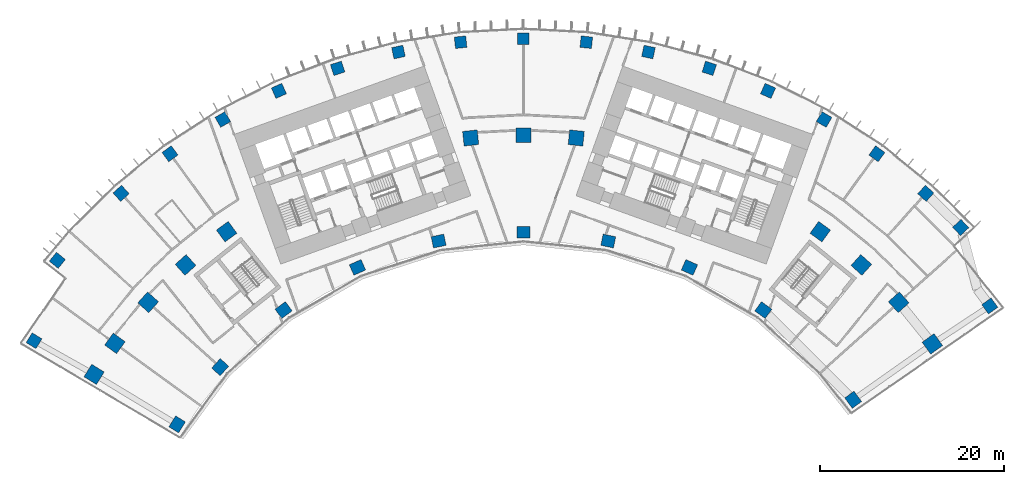
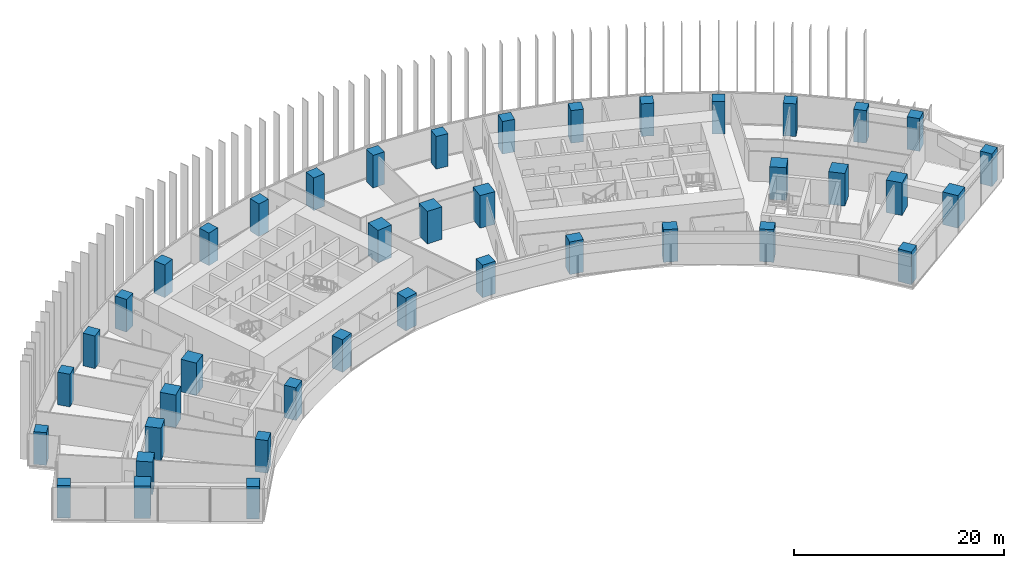
# One storey, part 1 of 24: 41 columns.
"""IFC4 building model written with IfcOpenShell, lengths in metres."""

import ifcopenshell
import ifcopenshell.guid

model = None  # the IFC model being written
_history = None  # IfcOwnerHistory: only IFC2X3 demands one
_inside = {}  # id of a spatial element -> (the spatial element, [elements in it])
_under = {}  # id of a project, library or spatial element -> (it, [spatial elements below it])
_declared = {}  # id of a project -> (the project, [libraries it declares])
_typed = {}  # id of a type object -> (the type object, [elements of that type])
_made_of = {}  # id of a material, layer set ... -> (it, [elements and type objects made of it])


def new_model(schema):
    """Start an empty IFC model of exactly this schema.

    Asked for "IFC4X3", IfcOpenShell would pick the latest addendum, in which some entities
    have other attributes; the version numbers below select the first issue.
    IFC2X3 requires an IfcOwnerHistory on every rooted entity: one is made here for all.
    """
    global model, _history
    if schema == "IFC4X3":
        model = ifcopenshell.file(schema_version=(4, 3, 0, 0))
    else:
        model = ifcopenshell.file(schema=schema)
    _inside.clear()
    _under.clear()
    _declared.clear()
    _typed.clear()
    _made_of.clear()
    _history = None
    if model.schema == "IFC2X3":
        org = make("IfcOrganization", Name="unknown")
        user = make(
            "IfcPersonAndOrganization",
            ThePerson=make("IfcPerson", FamilyName="unknown"),
            TheOrganization=org,
        )
        app = make(
            "IfcApplication",
            ApplicationDeveloper=org,
            Version="unknown",
            ApplicationFullName="unknown",
            ApplicationIdentifier="unknown",
        )
        _history = make(
            "IfcOwnerHistory",
            OwningUser=user,
            OwningApplication=app,
            ChangeAction="ADDED",
            CreationDate=0,
        )
    return model


def make(cls, **values):
    """One entity of the class cls with the attributes given. An attribute that is None is left unset."""
    return model.create_entity(
        cls, **{name: value for name, value in values.items() if value is not None}
    )


def rooted(cls, **values):
    """An entity with a GlobalId (a new one), such as an element, a storey or a relation."""
    return make(cls, GlobalId=ifcopenshell.guid.new(), OwnerHistory=_history, **values)


def si_unit(unit_type, name, prefix=None):
    """IfcSIUnit, for example si_unit("LENGTHUNIT", "METRE", prefix="MILLI")."""
    return make("IfcSIUnit", UnitType=unit_type, Prefix=prefix, Name=name)


def assignment(units):
    """IfcUnitAssignment: the units of a project."""
    return None if units is None else make("IfcUnitAssignment", Units=units)


def point(xyz):
    """IfcCartesianPoint."""
    return None if xyz is None else make("IfcCartesianPoint", Coordinates=xyz)


def direction(xyz):
    """IfcDirection."""
    return None if xyz is None else make("IfcDirection", DirectionRatios=xyz)


def frame(location, z_axis=None, x_axis=None):
    """IfcAxis2Placement3D, a coordinate frame: its origin and axes. An axis left out is left unset."""
    return make(
        "IfcAxis2Placement3D",
        Location=point(location),
        Axis=direction(z_axis),
        RefDirection=direction(x_axis),
    )


def frame_2d(location, x_axis=None):
    """IfcAxis2Placement2D, a coordinate frame in the plane: its origin and x axis."""
    return make(
        "IfcAxis2Placement2D", Location=point(location), RefDirection=direction(x_axis)
    )


def origin():
    """The frame at (0, 0, 0) with its axes left unset."""
    return frame((0.0, 0.0, 0.0))


def origin_2d():
    """The frame at (0, 0) in the plane with its x axis left unset."""
    return frame_2d((0.0, 0.0))


def place(relative_to, where):
    """IfcLocalPlacement: puts the frame where relative to a parent placement (None: the world)."""
    return make(
        "IfcLocalPlacement", PlacementRelTo=relative_to, RelativePlacement=where
    )


def context(
    kind, dimensions, precision=None, world=None, true_north=None, identifier=None
):
    """IfcGeometricRepresentationContext, for example the 3D "Model" context."""
    return make(
        "IfcGeometricRepresentationContext",
        ContextIdentifier=identifier,
        ContextType=kind,
        CoordinateSpaceDimension=dimensions,
        Precision=precision,
        WorldCoordinateSystem=world,
        TrueNorth=true_north,
    )


def subcontext(parent, identifier, kind, view, scale=None):
    """IfcGeometricRepresentationSubContext, for example "Body" below "Model"."""
    return make(
        "IfcGeometricRepresentationSubContext",
        ContextIdentifier=identifier,
        ContextType=kind,
        ParentContext=parent,
        TargetScale=scale,
        TargetView=view,
    )


def project(units=None, contexts=None):
    """IfcProject with its units and contexts."""
    return rooted(
        "IfcProject",
        Name="project",
        RepresentationContexts=contexts,
        UnitsInContext=assignment(units),
    )


def spatial(cls, under=None, at=None, **own):
    """A site, building, storey or space (cls), placed at a placement, below another one or the project."""
    s = rooted(cls, ObjectPlacement=at, **own)
    if under is not None:
        _under.setdefault(under.id(), (under, []))[1].append(s)
    return s


def profile(cls, at=None, kind="AREA", **sizes):
    """A parametric profile (cls). Its sizes go by their IFC names, for example OverallWidth=200.0."""
    return make(cls, ProfileType=kind, Position=at, **sizes)


def rectangle(**sizes):
    """IfcRectangleProfileDef."""
    return profile("IfcRectangleProfileDef", **sizes)


def extrude(swept, where, along, depth):
    """IfcExtrudedAreaSolid: the profile swept, set in the frame where, extruded along a direction by depth."""
    return make(
        "IfcExtrudedAreaSolid",
        SweptArea=swept,
        Position=where,
        ExtrudedDirection=direction(along),
        Depth=depth,
    )


def shape(context_of_items, identifier, shape_type, items):
    """IfcShapeRepresentation: the items that make up one representation, for example the "Body"."""
    return make(
        "IfcShapeRepresentation",
        ContextOfItems=context_of_items,
        RepresentationIdentifier=identifier,
        RepresentationType=shape_type,
        Items=items,
    )


def material(Name=None, Category=None):
    """IfcMaterial."""
    return make("IfcMaterial", Name=Name, Category=Category)


def material_profile(
    of_material, cross_section, Name=None, Category=None, Priority=None
):
    """IfcMaterialProfile: a cross section and its material."""
    return make(
        "IfcMaterialProfile",
        Name=Name,
        Material=of_material,
        Profile=cross_section,
        Priority=Priority,
        Category=Category,
    )


def profile_set(profiles, Name=None, composite=None):
    """IfcMaterialProfileSet."""
    return make(
        "IfcMaterialProfileSet",
        Name=Name,
        MaterialProfiles=profiles,
        CompositeProfile=composite,
    )


def made_of(thing, what):
    """Note that an element or type object is made of a material, layer set ...; save() writes the relation."""
    if what is not None:
        _made_of.setdefault(what.id(), (what, []))[1].append(thing)
    return thing


def type_object(cls, material=None, **own):
    """A type object (cls), such as IfcWallType, which elements share."""
    return made_of(rooted(cls, **own), material)


def element(
    cls,
    number,
    at=None,
    inside=None,
    cuts=None,
    type_object=None,
    material=None,
    context=None,
    identifier="Body",
    shape_type=None,
    held_by="IfcProductDefinitionShape",
    body=None,
    shapes=None,
    **own,
):
    """One element of the class cls, such as IfcWall. Its Tag is "e" and its number.

    at: its placement. inside: the storey or other place that contains it. cuts: it is an
    opening in that element (IfcRelVoidsElement). A single representation is given by context,
    identifier, shape_type and body (its items); several are given by shapes. held_by: the class
    of the entity that holds the representations. save() writes the other relations.
    """
    e = rooted(cls, Tag="e%d" % number, ObjectPlacement=at, **own)
    if body is not None:
        shapes = [shape(context, identifier, shape_type, body)]
    if shapes is not None:
        e.Representation = make(held_by, Representations=shapes)
    if inside is not None:
        _inside.setdefault(inside.id(), (inside, []))[1].append(e)
    if cuts is not None:
        rooted(
            "IfcRelVoidsElement", RelatingBuildingElement=cuts, RelatedOpeningElement=e
        )
    if type_object is not None:
        _typed.setdefault(type_object.id(), (type_object, []))[1].append(e)
    return made_of(e, material)


def aggregate(whole, parts):
    """IfcRelAggregates: a whole, such as a stair, and the parts it consists of."""
    return rooted("IfcRelAggregates", RelatingObject=whole, RelatedObjects=parts)


def save(model, path):
    """Write the relations noted so far, then the file.

    IfcRelAggregates (storeys below a building ...), IfcRelContainedInSpatialStructure (elements
    in a storey), IfcRelDefinesByType, IfcRelAssociatesMaterial and IfcRelDeclares: one each for
    every whole, place, type object, material and project.
    """
    for whole, parts in _under.values():
        aggregate(whole, parts)
    for where, things in _inside.values():
        rooted(
            "IfcRelContainedInSpatialStructure",
            RelatedElements=things,
            RelatingStructure=where,
        )
    for kind, things in _typed.values():
        rooted("IfcRelDefinesByType", RelatedObjects=things, RelatingType=kind)
    for what, things in _made_of.values():
        rooted("IfcRelAssociatesMaterial", RelatedObjects=things, RelatingMaterial=what)
    for by, libraries in _declared.values():
        rooted("IfcRelDeclares", RelatingContext=by, RelatedDefinitions=libraries)
    model.write(path)


model = new_model("IFC4")

# Units and contexts
model_context = context("Model", 3, precision=1e-05, world=origin(), true_north=direction((0.0, 1.0)))
body_context = subcontext(model_context, "Body", "Model", "MODEL_VIEW")
ifc_project = project(units=[si_unit("LENGTHUNIT", "METRE"), si_unit("AREAUNIT", "SQUARE_METRE"), si_unit("VOLUMEUNIT", "CUBIC_METRE"), si_unit("PLANEANGLEUNIT", "RADIAN"), si_unit("MASSUNIT", "GRAM", prefix="KILO")], contexts=[model_context])

# Site, building, storey
site_placement = place(None, origin())
site = spatial("IfcSite", under=ifc_project, at=site_placement, CompositionType="ELEMENT")
building_placement = place(site_placement, origin())
building = spatial("IfcBuilding", under=site, at=building_placement, Name="Stone Belt Terrace Tower", CompositionType="ELEMENT")
storey_placement = place(building_placement, frame((0.0, 0.0, 64.199951171875)))
storey = spatial("IfcBuildingStorey", under=building, at=storey_placement, Name="L15", CompositionType="ELEMENT", Elevation=64.199951171875)

# Columns
ifc_material = material(Name="Concrete B80", Category="concrete")
ifc_material_profile_1 = material_profile(ifc_material, rectangle(XDim=1.25, YDim=1.25, at=origin_2d()), Name="RC 1250x1250")
ifc_profile_set_1 = profile_set([ifc_material_profile_1], Name="Concrete B80")
column_type_1 = type_object("IfcColumnType", Name="Column RC 1250x1250 B80", PredefinedType="COLUMN", material=ifc_profile_set_1)
for number, where, z_axis, x_axis, name in (
    (1, (-53.30078125, 32.6171875, 0.0), (0.0, 0.0, 1.0), (0.521967198123, 0.852965558556, 0.0), "Column L15 RA"),
    (2, (50.789794921875, 36.40380859375, 0.0), (0.0, 0.0, 1.0), (0.582565651933, -0.81278364968, 0.0), "Column L15 RB"),
    (3, (-50.7646484375, 41.373046875, 0.0), (0.0, 0.0, 1.0), (0.631758757508, 0.775165061333, 0.0), "Column L15 RNA"),
    (4, (-43.820556640625, 48.667724609375, 0.0), (0.0, 0.0, 1.0), (0.743144825477, 0.669130606359, 0.0), "Column L15 R15"),
    (5, (-38.493408203125, 52.981689453125, 0.0), (0.0, 0.0, 1.0), (0.809016994375, 0.587785252292, 0.0), "Column L15 R16"),
    (6, (-32.744384765625, 56.715087890625, 0.0), (0.0, 0.0, 1.0), (0.866025403784, 0.5, 0.0), "Column L15 R17"),
    (7, (-26.63671875, 59.8271484375, 0.0), (0.0, 0.0, 1.0), (0.913545457643, 0.406736643076, 0.0), "Column L15 R18"),
    (8, (-20.2373046875, 62.28369140625, 0.0), (0.0, 0.0, 1.0), (0.951056516295, 0.309016994375, 0.0), "Column L15 R19"),
    (9, (-13.615966796875, 64.057861328125, 0.0), (0.0, 0.0, 1.0), (0.978147600734, 0.207911690818, 0.0), "Column L15 R20"),
    (10, (-6.845458984375, 65.130126953125, 0.0), (0.0, 0.0, 1.0), (0.994521895368, 0.104528463268, 0.0), "Column L15 R21"),
    (11, (0.0, 65.489013671875, 0.0), (0.0, 0.0, 1.0), (1.0, 0.0, 0.0), "Column L15 R22"),
    (12, (6.845458984375, 65.130126953125, 0.0), (0.0, 0.0, 1.0), (0.994521895368, -0.104528463268, 0.0), "Column L15 R23"),
    (13, (13.615966796875, 64.057861328125, 0.0), (0.0, 0.0, 1.0), (0.978147600734, -0.207911690818, 0.0), "Column L15 R24"),
    (14, (20.2373046875, 62.28369140625, 0.0), (0.0, 0.0, 1.0), (0.951056516295, -0.309016994375, 0.0), "Column L15 R25"),
    (15, (26.63671875, 59.8271484375, 0.0), (0.0, 0.0, 1.0), (0.913545457643, -0.406736643076, 0.0), "Column L15 R26"),
    (16, (32.744384765625, 56.715087890625, 0.0), (0.0, 0.0, 1.0), (0.866025403784, -0.5, 0.0), "Column L15 R27"),
    (17, (38.493408203125, 52.981689453125, 0.0), (0.0, 0.0, 1.0), (0.809016994375, -0.587785252292, 0.0), "Column L15 R28"),
    (18, (43.820556640625, 48.667724609375, 0.0), (0.0, 0.0, 1.0), (0.743144825477, -0.669130606359, 0.0), "Column L15 R29"),
    (19, (47.624267578125, 44.952392578125, 0.0), (0.0, 0.0, 1.0), (0.686413848344, -0.727211130829, 0.0), "Column L15 RNB"),
):
    element("IfcColumn", number, at=place(storey_placement, frame(where, z_axis=z_axis, x_axis=x_axis)), inside=storey, type_object=column_type_1, Name=name, PredefinedType="COLUMN", context=body_context, shape_type="SweptSolid", body=[
        extrude(rectangle(XDim=1.25, YDim=1.25, at=origin_2d()), origin(), (0.0, 0.0, 1.0), 3.800048828125),
    ])
ifc_material_profile_2 = material_profile(ifc_material, rectangle(XDim=1.39990234375, YDim=1.25, at=origin_2d()), Name="RC 1400x1250")
ifc_profile_set_2 = profile_set([ifc_material_profile_2], Name="Concrete B80")
column_type_2 = type_object("IfcColumnType", Name="Column RC 1400x1250 B80", PredefinedType="COLUMN", material=ifc_profile_set_2)
for number, where, z_axis, x_axis, name in (
    (20, (-37.718017578125, 23.510009765625, 0.0), (0.0, 0.0, 1.0), (0.528967211548, 0.84864226215, 0.0), "Column L15 PA"),
    (21, (-33.029052734375, 29.739501953125, 0.0), (0.0, 0.0, 1.0), (0.669130606359, 0.743144825477, 0.0), "Column L15 P14"),
    (22, (-26.1240234375, 35.956787109375, 0.0), (0.0, 0.0, 1.0), (0.809016994375, 0.587785252292, 0.0), "Column L15 P16"),
    (23, (-18.077392578125, 40.6025390625, 0.0), (0.0, 0.0, 1.0), (0.913545457643, 0.406736643076, 0.0), "Column L15 P18"),
    (24, (-9.240478515625, 43.473876953125, 0.0), (0.0, 0.0, 1.0), (0.978147600734, 0.207911690818, 0.0), "Column L15 P20"),
    (25, (0.0, 44.445068359375, 0.0), (0.0, 0.0, 1.0), (1.0, 0.0, 0.0), "Column L15 P22"),
    (26, (9.240478515625, 43.473876953125, 0.0), (0.0, 0.0, 1.0), (0.978147600734, -0.207911690818, 0.0), "Column L15 P24"),
    (27, (18.077392578125, 40.6025390625, 0.0), (0.0, 0.0, 1.0), (0.913545457643, -0.406736643076, 0.0), "Column L15 P26"),
    (28, (26.1240234375, 35.956787109375, 0.0), (0.0, 0.0, 1.0), (0.809016994375, -0.587785252292, 0.0), "Column L15 P28"),
    (29, (35.909912109375, 26.1884765625, 0.0), (0.0, 0.0, 1.0), (0.589233022165, -0.807963146184, 0.0), "Column L15 PB"),
):
    element("IfcColumn", number, at=place(storey_placement, frame(where, z_axis=z_axis, x_axis=x_axis)), inside=storey, type_object=column_type_2, Name=name, PredefinedType="COLUMN", context=body_context, shape_type="SweptSolid", body=[
        extrude(rectangle(XDim=1.39990234375, YDim=1.25, at=origin_2d()), origin(), (0.0, 0.0, 1.0), 3.800048828125),
    ])
ifc_material_profile_3 = material_profile(ifc_material, rectangle(XDim=1.60009765625, YDim=1.60009765625, at=origin_2d()), Name="RC 1600x1600")
ifc_profile_set_3 = profile_set([ifc_material_profile_3], Name="Concrete B80")
column_type_3 = type_object("IfcColumnType", Name="Column RC 1600x1600 B80", PredefinedType="COLUMN", material=ifc_profile_set_3)
for number, where, z_axis, x_axis, name in (
    (30, (-46.763671875, 28.951171875, 0.0), (0.0, 0.0, 1.0), (0.526383105721, 0.850247508677, 0.0), "Column L15 QA"),
    (31, (-44.495849609375, 32.328125, 0.0), (0.0, 0.0, 1.0), (0.587785252292, 0.809016994375, 0.0), "Column L15 Q13"),
    (32, (-40.873046875, 36.80224609375, 0.0), (0.0, 0.0, 1.0), (0.669130606359, 0.743144825477, 0.0), "Column L15 Q14"),
    (33, (-36.80224609375, 40.873046875, 0.0), (0.0, 0.0, 1.0), (0.743144825477, 0.669130606359, 0.0), "Column L15 Q15"),
    (34, (-32.328125, 44.495849609375, 0.0), (0.0, 0.0, 1.0), (0.809016994375, 0.587785252292, 0.0), "Column L15 Q16"),
    (35, (-5.7490234375, 54.69873046875, 0.0), (0.0, 0.0, 1.0), (0.994521895368, 0.104528463268, 0.0), "Column L15 Q21"),
    (36, (0.0, 55.0, 0.0), (0.0, 0.0, 1.0), (1.0, 0.0, 0.0), "Column L15 Q22"),
    (37, (5.7490234375, 54.69873046875, 0.0), (0.0, 0.0, 1.0), (0.994521895368, -0.104528463268, 0.0), "Column L15 Q23"),
    (38, (32.328125, 44.495849609375, 0.0), (0.0, 0.0, 1.0), (0.809016994375, -0.587785252292, 0.0), "Column L15 Q28"),
    (39, (36.80224609375, 40.873046875, 0.0), (0.0, 0.0, 1.0), (0.743144825477, -0.669130606359, 0.0), "Column L15 Q29"),
    (40, (40.873046875, 36.80224609375, 0.0), (0.0, 0.0, 1.0), (0.669130606359, -0.743144825477, 0.0), "Column L15 Q30"),
    (41, (44.536376953125, 32.272705078125, 0.0), (0.0, 0.0, 1.0), (0.586773800867, -0.809750891704, 0.0), "Column L15 QB"),
):
    element("IfcColumn", number, at=place(storey_placement, frame(where, z_axis=z_axis, x_axis=x_axis)), inside=storey, type_object=column_type_3, Name=name, PredefinedType="COLUMN", context=body_context, shape_type="SweptSolid", body=[
        extrude(rectangle(XDim=1.60009765625, YDim=1.60009765625, at=origin_2d()), origin(), (0.0, 0.0, 1.0), 3.800048828125),
    ])

save(model, "model.ifc")
